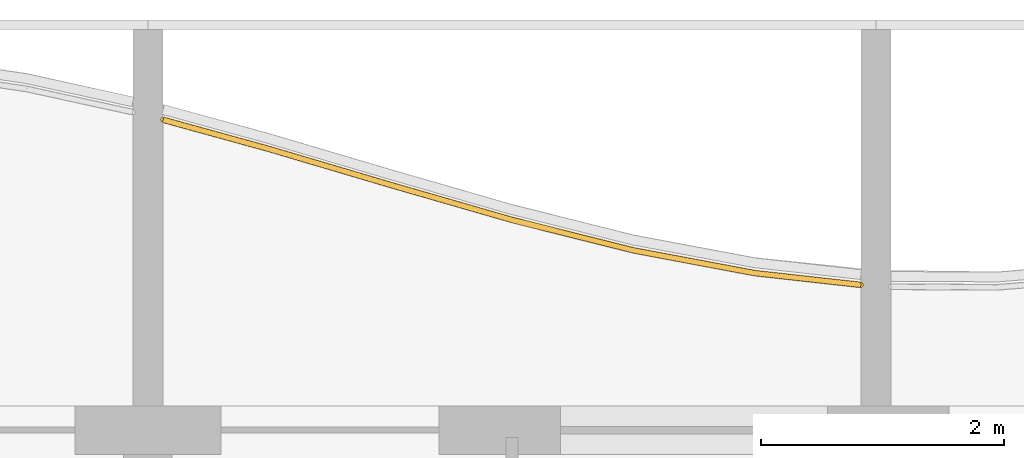
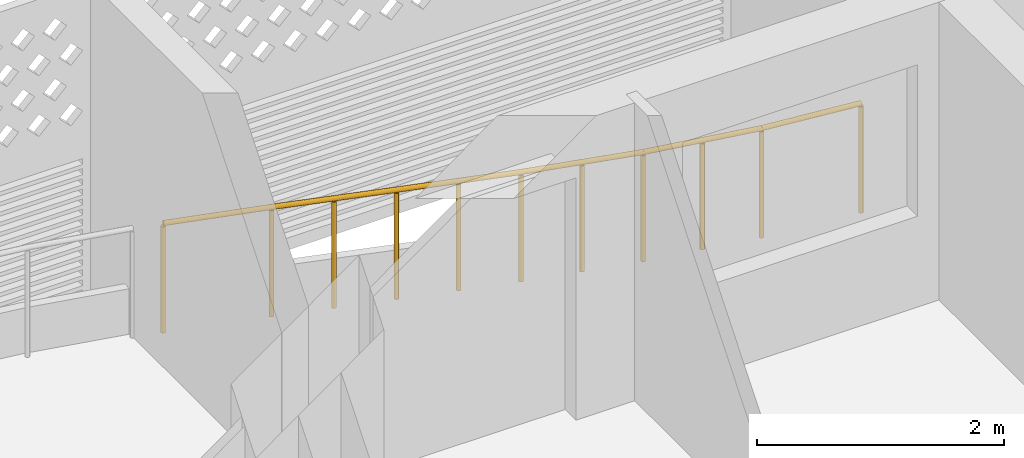
# One storey, part 31 of 39: 1 railing.
"""IFC4 building model written with IfcOpenShell, lengths in metres."""

from ifc_helpers import new_model, si_unit, direction, frame, origin, origin_2d, place, context, subcontext, project, spatial, circle, extrude, material, type_object, element, save


model = new_model("IFC4")

# Units and contexts
model_context = context("Model", 3, precision=1e-05, world=origin(), true_north=direction((0.0, 1.0)))
body_context = subcontext(model_context, "Body", "Model", "MODEL_VIEW")
ifc_project = project(units=[si_unit("LENGTHUNIT", "METRE"), si_unit("AREAUNIT", "SQUARE_METRE"), si_unit("VOLUMEUNIT", "CUBIC_METRE"), si_unit("PLANEANGLEUNIT", "RADIAN"), si_unit("MASSUNIT", "GRAM", prefix="KILO")], contexts=[model_context])

# Site, building, storey
site_placement = place(None, origin())
site = spatial("IfcSite", under=ifc_project, at=site_placement, CompositionType="ELEMENT")
building_placement = place(site_placement, origin())
building = spatial("IfcBuilding", under=site, at=building_placement, Name="Poui Terraces", CompositionType="ELEMENT")
storey_placement = place(building_placement, frame((0.0, 0.0, 63.0)))
storey = spatial("IfcBuildingStorey", under=building, at=storey_placement, Name="L17", CompositionType="ELEMENT", Elevation=63.0)

# Railing
ifc_material = material(Name="Painted steel fretwork", Category="steel")
railing_type = type_object("IfcRailingType", Name="BALCONY GUARD 1100", PredefinedType="GUARDRAIL", material=ifc_material)
railing_placement = place(storey_placement, frame((60.125, 47.357421875, 0.0)))
element("IfcRailing", 1, at=railing_placement, inside=storey, type_object=railing_type, Name="BALCONY GUARD", PredefinedType="GUARDRAIL", context=body_context, shape_type="SweptSolid", body=[
    extrude(circle(Radius=0.02392578125, at=origin_2d()), frame((0.0, 0.0, 1.076171875), z_axis=(0.964109044375, -0.265506592299, 0.0), x_axis=(0.265506592299, 0.964109044375, 0.0)), (0.0, 0.0, 1.0), 0.907470703125),
    extrude(circle(Radius=0.02392578125, at=origin_2d()), frame((0.875, -0.240966796875, 1.076171875), z_axis=(0.958901964879, -0.283737593123, 0.0), x_axis=(0.283737593123, 0.958901964879, 0.0)), (0.0, 0.0, 1.0), 1.04296875),
    extrude(circle(Radius=0.02392578125, at=origin_2d()), frame((1.875, -0.536865234375, 1.076171875), z_axis=(0.960919647927, -0.276827437635, 0.0), x_axis=(0.276827437635, 0.960919647927, 0.0)), (0.0, 0.0, 1.0), 1.040771484375),
    extrude(circle(Radius=0.02392578125, at=origin_2d()), frame((2.875, -0.824951171875, 1.076171875), z_axis=(0.969919223088, -0.243426992513, 0.0), x_axis=(0.243426992513, 0.969919223088, 0.0)), (0.0, 0.0, 1.0), 1.031005859375),
    extrude(circle(Radius=0.02392578125, at=origin_2d()), frame((3.875, -1.075927734375, 1.076171875), z_axis=(0.982872186934, -0.18428853505, 0.0), x_axis=(0.18428853505, 0.982872186934, 0.0)), (0.0, 0.0, 1.0), 1.017333984375),
    extrude(circle(Radius=0.02392578125, at=origin_2d()), frame((4.875, -1.263427734375, 1.076171875), z_axis=(0.993890496546, -0.110370652239, 0.0), x_axis=(0.110370652239, 0.993890496546, 0.0)), (0.0, 0.0, 1.0), 0.88037109375),
    extrude(circle(Radius=0.02099609375, at=origin_2d()), origin(), (0.0, 0.0, 1.0), 1.052001953125),
    extrude(circle(Radius=0.02099609375, at=origin_2d()), frame((0.875, -0.240966796875, 0.0)), (0.0, 0.0, 1.0), 1.052001953125),
    extrude(circle(Radius=0.02099609375, at=origin_2d()), frame((1.375, -0.388916015625, 0.0)), (0.0, 0.0, 1.0), 1.052001953125),
    extrude(circle(Radius=0.02099609375, at=origin_2d()), frame((1.875, -0.536865234375, 0.0)), (0.0, 0.0, 1.0), 1.052001953125),
    extrude(circle(Radius=0.02099609375, at=origin_2d()), frame((2.375, -0.680908203125, 0.0)), (0.0, 0.0, 1.0), 1.052001953125),
    extrude(circle(Radius=0.02099609375, at=origin_2d()), frame((2.875, -0.824951171875, 0.0)), (0.0, 0.0, 1.0), 1.052001953125),
    extrude(circle(Radius=0.02099609375, at=origin_2d()), frame((3.375, -0.950439453125, 0.0)), (0.0, 0.0, 1.0), 1.052001953125),
    extrude(circle(Radius=0.02099609375, at=origin_2d()), frame((3.875, -1.075927734375, 0.0)), (0.0, 0.0, 1.0), 1.052001953125),
    extrude(circle(Radius=0.02099609375, at=origin_2d()), frame((4.375, -1.169677734375, 0.0)), (0.0, 0.0, 1.0), 1.052001953125),
    extrude(circle(Radius=0.02099609375, at=origin_2d()), frame((4.875, -1.263427734375, 0.0)), (0.0, 0.0, 1.0), 1.052001953125),
    extrude(circle(Radius=0.02099609375, at=origin_2d()), frame((5.75, -1.360595703125, 0.0)), (0.0, 0.0, 1.0), 1.052001953125),
])

save(model, "model.ifc")
